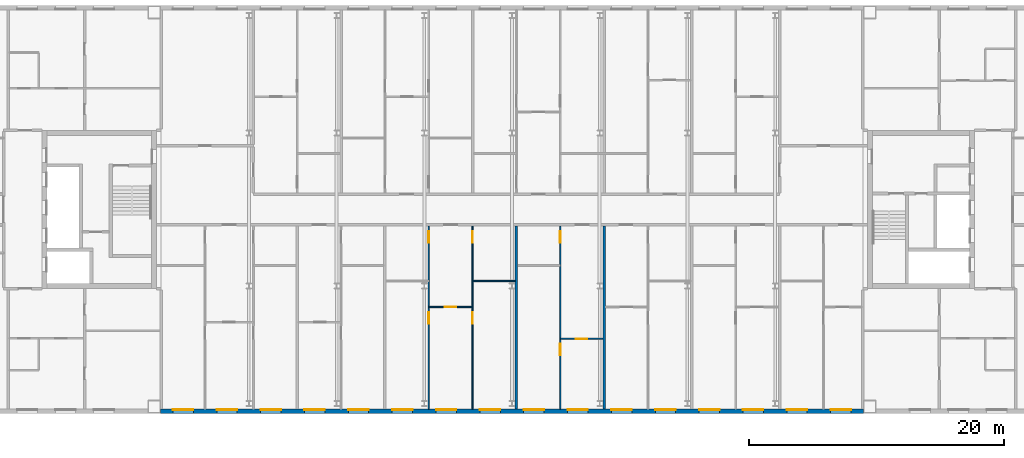
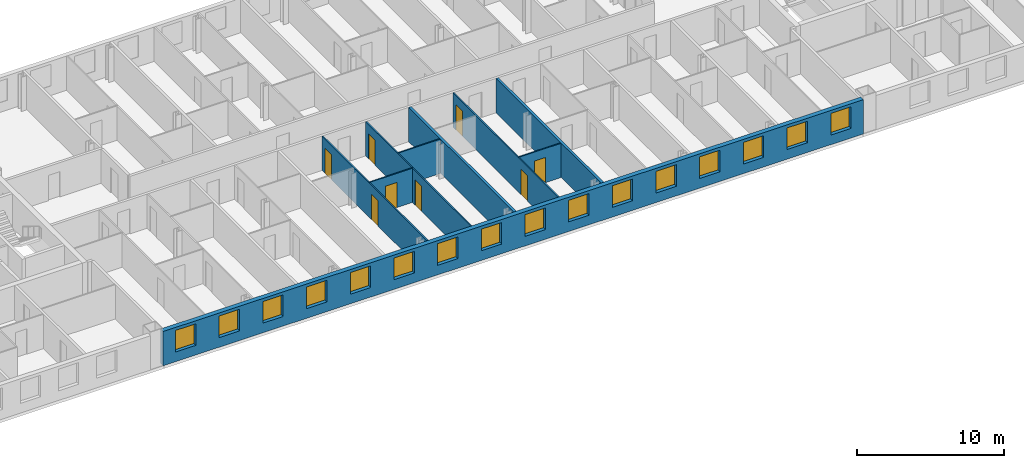
# One storey, part 10 of 19: 16 windows, 9 walls, 8 doors, 24 openings.
"""IFC4 building model written with IfcOpenShell, lengths in metres."""

import ifcopenshell
import ifcopenshell.guid

model = None  # the IFC model being written
_history = None  # IfcOwnerHistory: only IFC2X3 demands one
_inside = {}  # id of a spatial element -> (the spatial element, [elements in it])
_under = {}  # id of a project, library or spatial element -> (it, [spatial elements below it])
_declared = {}  # id of a project -> (the project, [libraries it declares])
_typed = {}  # id of a type object -> (the type object, [elements of that type])
_made_of = {}  # id of a material, layer set ... -> (it, [elements and type objects made of it])


def new_model(schema):
    """Start an empty IFC model of exactly this schema.

    Asked for "IFC4X3", IfcOpenShell would pick the latest addendum, in which some entities
    have other attributes; the version numbers below select the first issue.
    IFC2X3 requires an IfcOwnerHistory on every rooted entity: one is made here for all.
    """
    global model, _history
    if schema == "IFC4X3":
        model = ifcopenshell.file(schema_version=(4, 3, 0, 0))
    else:
        model = ifcopenshell.file(schema=schema)
    _inside.clear()
    _under.clear()
    _declared.clear()
    _typed.clear()
    _made_of.clear()
    _history = None
    if model.schema == "IFC2X3":
        org = make("IfcOrganization", Name="unknown")
        user = make(
            "IfcPersonAndOrganization",
            ThePerson=make("IfcPerson", FamilyName="unknown"),
            TheOrganization=org,
        )
        app = make(
            "IfcApplication",
            ApplicationDeveloper=org,
            Version="unknown",
            ApplicationFullName="unknown",
            ApplicationIdentifier="unknown",
        )
        _history = make(
            "IfcOwnerHistory",
            OwningUser=user,
            OwningApplication=app,
            ChangeAction="ADDED",
            CreationDate=0,
        )
    return model


def make(cls, **values):
    """One entity of the class cls with the attributes given. An attribute that is None is left unset."""
    return model.create_entity(
        cls, **{name: value for name, value in values.items() if value is not None}
    )


def rooted(cls, **values):
    """An entity with a GlobalId (a new one), such as an element, a storey or a relation."""
    return make(cls, GlobalId=ifcopenshell.guid.new(), OwnerHistory=_history, **values)


def si_unit(unit_type, name, prefix=None):
    """IfcSIUnit, for example si_unit("LENGTHUNIT", "METRE", prefix="MILLI")."""
    return make("IfcSIUnit", UnitType=unit_type, Prefix=prefix, Name=name)


def assignment(units):
    """IfcUnitAssignment: the units of a project."""
    return None if units is None else make("IfcUnitAssignment", Units=units)


def point(xyz):
    """IfcCartesianPoint."""
    return None if xyz is None else make("IfcCartesianPoint", Coordinates=xyz)


def direction(xyz):
    """IfcDirection."""
    return None if xyz is None else make("IfcDirection", DirectionRatios=xyz)


def frame(location, z_axis=None, x_axis=None):
    """IfcAxis2Placement3D, a coordinate frame: its origin and axes. An axis left out is left unset."""
    return make(
        "IfcAxis2Placement3D",
        Location=point(location),
        Axis=direction(z_axis),
        RefDirection=direction(x_axis),
    )


def frame_2d(location, x_axis=None):
    """IfcAxis2Placement2D, a coordinate frame in the plane: its origin and x axis."""
    return make(
        "IfcAxis2Placement2D", Location=point(location), RefDirection=direction(x_axis)
    )


def origin():
    """The frame at (0, 0, 0) with its axes left unset."""
    return frame((0.0, 0.0, 0.0))


def place(relative_to, where):
    """IfcLocalPlacement: puts the frame where relative to a parent placement (None: the world)."""
    return make(
        "IfcLocalPlacement", PlacementRelTo=relative_to, RelativePlacement=where
    )


def context(
    kind, dimensions, precision=None, world=None, true_north=None, identifier=None
):
    """IfcGeometricRepresentationContext, for example the 3D "Model" context."""
    return make(
        "IfcGeometricRepresentationContext",
        ContextIdentifier=identifier,
        ContextType=kind,
        CoordinateSpaceDimension=dimensions,
        Precision=precision,
        WorldCoordinateSystem=world,
        TrueNorth=true_north,
    )


def subcontext(parent, identifier, kind, view, scale=None):
    """IfcGeometricRepresentationSubContext, for example "Body" below "Model"."""
    return make(
        "IfcGeometricRepresentationSubContext",
        ContextIdentifier=identifier,
        ContextType=kind,
        ParentContext=parent,
        TargetScale=scale,
        TargetView=view,
    )


def project(units=None, contexts=None):
    """IfcProject with its units and contexts."""
    return rooted(
        "IfcProject",
        Name="project",
        RepresentationContexts=contexts,
        UnitsInContext=assignment(units),
    )


def spatial(cls, under=None, at=None, **own):
    """A site, building, storey or space (cls), placed at a placement, below another one or the project."""
    s = rooted(cls, ObjectPlacement=at, **own)
    if under is not None:
        _under.setdefault(under.id(), (under, []))[1].append(s)
    return s


def profile(cls, at=None, kind="AREA", **sizes):
    """A parametric profile (cls). Its sizes go by their IFC names, for example OverallWidth=200.0."""
    return make(cls, ProfileType=kind, Position=at, **sizes)


def rectangle(**sizes):
    """IfcRectangleProfileDef."""
    return profile("IfcRectangleProfileDef", **sizes)


def extrude(swept, where, along, depth):
    """IfcExtrudedAreaSolid: the profile swept, set in the frame where, extruded along a direction by depth."""
    return make(
        "IfcExtrudedAreaSolid",
        SweptArea=swept,
        Position=where,
        ExtrudedDirection=direction(along),
        Depth=depth,
    )


def shape(context_of_items, identifier, shape_type, items):
    """IfcShapeRepresentation: the items that make up one representation, for example the "Body"."""
    return make(
        "IfcShapeRepresentation",
        ContextOfItems=context_of_items,
        RepresentationIdentifier=identifier,
        RepresentationType=shape_type,
        Items=items,
    )


def material(Name=None, Category=None):
    """IfcMaterial."""
    return make("IfcMaterial", Name=Name, Category=Category)


def layer(
    of_material, thickness, ventilated=None, Name=None, Category=None, Priority=None
):
    """IfcMaterialLayer: one layer of a wall or slab, of a material (None: an air gap)."""
    return make(
        "IfcMaterialLayer",
        Material=of_material,
        LayerThickness=thickness,
        IsVentilated=ventilated,
        Name=Name,
        Category=Category,
        Priority=Priority,
    )


def layer_set(layers, Name=None):
    """IfcMaterialLayerSet."""
    return make("IfcMaterialLayerSet", MaterialLayers=layers, LayerSetName=Name)


def made_of(thing, what):
    """Note that an element or type object is made of a material, layer set ...; save() writes the relation."""
    if what is not None:
        _made_of.setdefault(what.id(), (what, []))[1].append(thing)
    return thing


def type_object(cls, material=None, **own):
    """A type object (cls), such as IfcWallType, which elements share."""
    return made_of(rooted(cls, **own), material)


def element(
    cls,
    number,
    at=None,
    inside=None,
    cuts=None,
    type_object=None,
    material=None,
    context=None,
    identifier="Body",
    shape_type=None,
    held_by="IfcProductDefinitionShape",
    body=None,
    shapes=None,
    **own,
):
    """One element of the class cls, such as IfcWall. Its Tag is "e" and its number.

    at: its placement. inside: the storey or other place that contains it. cuts: it is an
    opening in that element (IfcRelVoidsElement). A single representation is given by context,
    identifier, shape_type and body (its items); several are given by shapes. held_by: the class
    of the entity that holds the representations. save() writes the other relations.
    """
    e = rooted(cls, Tag="e%d" % number, ObjectPlacement=at, **own)
    if body is not None:
        shapes = [shape(context, identifier, shape_type, body)]
    if shapes is not None:
        e.Representation = make(held_by, Representations=shapes)
    if inside is not None:
        _inside.setdefault(inside.id(), (inside, []))[1].append(e)
    if cuts is not None:
        rooted(
            "IfcRelVoidsElement", RelatingBuildingElement=cuts, RelatedOpeningElement=e
        )
    if type_object is not None:
        _typed.setdefault(type_object.id(), (type_object, []))[1].append(e)
    return made_of(e, material)


def fill(opening, filler):
    """IfcRelFillsElement: the door or window that sits in an opening."""
    return rooted(
        "IfcRelFillsElement",
        RelatingOpeningElement=opening,
        RelatedBuildingElement=filler,
    )


def aggregate(whole, parts):
    """IfcRelAggregates: a whole, such as a stair, and the parts it consists of."""
    return rooted("IfcRelAggregates", RelatingObject=whole, RelatedObjects=parts)


def save(model, path):
    """Write the relations noted so far, then the file.

    IfcRelAggregates (storeys below a building ...), IfcRelContainedInSpatialStructure (elements
    in a storey), IfcRelDefinesByType, IfcRelAssociatesMaterial and IfcRelDeclares: one each for
    every whole, place, type object, material and project.
    """
    for whole, parts in _under.values():
        aggregate(whole, parts)
    for where, things in _inside.values():
        rooted(
            "IfcRelContainedInSpatialStructure",
            RelatedElements=things,
            RelatingStructure=where,
        )
    for kind, things in _typed.values():
        rooted("IfcRelDefinesByType", RelatedObjects=things, RelatingType=kind)
    for what, things in _made_of.values():
        rooted("IfcRelAssociatesMaterial", RelatedObjects=things, RelatingMaterial=what)
    for by, libraries in _declared.values():
        rooted("IfcRelDeclares", RelatingContext=by, RelatedDefinitions=libraries)
    model.write(path)


model = new_model("IFC4")

# Units and contexts
model_context = context("Model", 3, precision=1e-05, world=origin(), true_north=direction((0.0, 1.0)))
body_context = subcontext(model_context, "Body", "Model", "MODEL_VIEW")
ifc_project = project(units=[si_unit("LENGTHUNIT", "METRE"), si_unit("AREAUNIT", "SQUARE_METRE"), si_unit("VOLUMEUNIT", "CUBIC_METRE"), si_unit("PLANEANGLEUNIT", "RADIAN"), si_unit("MASSUNIT", "GRAM", prefix="KILO")], contexts=[model_context])

# Site, building, storey
site_placement = place(None, origin())
site = spatial("IfcSite", under=ifc_project, at=site_placement, CompositionType="ELEMENT")
building_placement = place(site_placement, origin())
building = spatial("IfcBuilding", under=site, at=building_placement, Name="Tuart Gate Housing", CompositionType="ELEMENT")
storey_placement = place(building_placement, frame((0.0, 0.0, 230.699951171875)))
storey = spatial("IfcBuildingStorey", under=building, at=storey_placement, Name="L65", CompositionType="ELEMENT", Elevation=230.699951171875)

# Wall, openings, windows
ifc_material_1 = material(Name="Brick", Category="masonry")
ifc_layer_1 = layer(ifc_material_1, 0.360107421875)
ifc_layer_set_1 = layer_set([ifc_layer_1], Name="Brick pier and spandrel wall 360")
wall_type_1 = type_object("IfcWallType", Name="Brick pier and spandrel wall 360", PredefinedType="STANDARD", material=ifc_layer_set_1)
wall_1_placement = place(storey_placement, frame((75.949951171875, 54.179931640625, 0.0), z_axis=(0.0, 0.0, 1.0), x_axis=(1.0, 0.0, 0.0)))
wall_1 = element("IfcWall", 1, at=wall_1_placement, inside=storey, type_object=wall_type_1, Name="External wall BLK-S L65", PredefinedType="STANDARD", context=body_context, shape_type="SweptSolid", body=[
    extrude(rectangle(XDim=55.10009765625, YDim=0.360107421875, at=frame_2d((27.550048828125, 0.0))), origin(), (0.0, 0.0, 1.0), 2.85009765625),
])
opening_1_placement = place(wall_1_placement, frame((0.96875, 0.0, 0.800048828125)))
opening_1 = element("IfcOpeningElement", 2, at=opening_1_placement, cuts=wall_1, Name="Opening W1", PredefinedType="OPENING", context=body_context, shape_type="SweptSolid", body=[
    extrude(rectangle(XDim=1.60009765625, YDim=1.800048828125, at=frame_2d((0.800048828125, 0.89990234375))), frame((0.0, 0.18994140625, 0.0), z_axis=(0.0, -1.0, 0.0), x_axis=(1.0, 0.0, 0.0)), (0.0, 0.0, 1.0), 0.380126953125),
])
opening_2_placement = place(wall_1_placement, frame((4.40625, 0.0, 0.800048828125)))
opening_2 = element("IfcOpeningElement", 3, at=opening_2_placement, cuts=wall_1, Name="Opening W1", PredefinedType="OPENING", context=body_context, shape_type="SweptSolid", body=[
    extrude(rectangle(XDim=1.60009765625, YDim=1.800048828125, at=frame_2d((0.800048828125, 0.89990234375))), frame((0.0, 0.18994140625, 0.0), z_axis=(0.0, -1.0, 0.0), x_axis=(1.0, 0.0, 0.0)), (0.0, 0.0, 1.0), 0.380126953125),
])
opening_3_placement = place(wall_1_placement, frame((7.84375, 0.0, 0.800048828125)))
opening_3 = element("IfcOpeningElement", 4, at=opening_3_placement, cuts=wall_1, Name="Opening W1", PredefinedType="OPENING", context=body_context, shape_type="SweptSolid", body=[
    extrude(rectangle(XDim=1.60009765625, YDim=1.800048828125, at=frame_2d((0.800048828125, 0.89990234375))), frame((0.0, 0.18994140625, 0.0), z_axis=(0.0, -1.0, 0.0), x_axis=(1.0, 0.0, 0.0)), (0.0, 0.0, 1.0), 0.380126953125),
])
opening_4_placement = place(wall_1_placement, frame((11.28125, 0.0, 0.800048828125)))
opening_4 = element("IfcOpeningElement", 5, at=opening_4_placement, cuts=wall_1, Name="Opening W1", PredefinedType="OPENING", context=body_context, shape_type="SweptSolid", body=[
    extrude(rectangle(XDim=1.60009765625, YDim=1.800048828125, at=frame_2d((0.800048828125, 0.89990234375))), frame((0.0, 0.18994140625, 0.0), z_axis=(0.0, -1.0, 0.0), x_axis=(1.0, 0.0, 0.0)), (0.0, 0.0, 1.0), 0.380126953125),
])
opening_5_placement = place(wall_1_placement, frame((14.71875, 0.0, 0.800048828125)))
opening_5 = element("IfcOpeningElement", 6, at=opening_5_placement, cuts=wall_1, Name="Opening W1", PredefinedType="OPENING", context=body_context, shape_type="SweptSolid", body=[
    extrude(rectangle(XDim=1.60009765625, YDim=1.800048828125, at=frame_2d((0.800048828125, 0.89990234375))), frame((0.0, 0.18994140625, 0.0), z_axis=(0.0, -1.0, 0.0), x_axis=(1.0, 0.0, 0.0)), (0.0, 0.0, 1.0), 0.380126953125),
])
opening_6_placement = place(wall_1_placement, frame((18.15625, 0.0, 0.800048828125)))
opening_6 = element("IfcOpeningElement", 7, at=opening_6_placement, cuts=wall_1, Name="Opening W1", PredefinedType="OPENING", context=body_context, shape_type="SweptSolid", body=[
    extrude(rectangle(XDim=1.60009765625, YDim=1.800048828125, at=frame_2d((0.800048828125, 0.89990234375))), frame((0.0, 0.18994140625, 0.0), z_axis=(0.0, -1.0, 0.0), x_axis=(1.0, 0.0, 0.0)), (0.0, 0.0, 1.0), 0.380126953125),
])
opening_7_placement = place(wall_1_placement, frame((21.59375, 0.0, 0.800048828125)))
opening_7 = element("IfcOpeningElement", 8, at=opening_7_placement, cuts=wall_1, Name="Opening W1", PredefinedType="OPENING", context=body_context, shape_type="SweptSolid", body=[
    extrude(rectangle(XDim=1.60009765625, YDim=1.800048828125, at=frame_2d((0.800048828125, 0.89990234375))), frame((0.0, 0.18994140625, 0.0), z_axis=(0.0, -1.0, 0.0), x_axis=(1.0, 0.0, 0.0)), (0.0, 0.0, 1.0), 0.380126953125),
])
opening_8_placement = place(wall_1_placement, frame((25.03125, 0.0, 0.800048828125)))
opening_8 = element("IfcOpeningElement", 9, at=opening_8_placement, cuts=wall_1, Name="Opening W1", PredefinedType="OPENING", context=body_context, shape_type="SweptSolid", body=[
    extrude(rectangle(XDim=1.60009765625, YDim=1.800048828125, at=frame_2d((0.800048828125, 0.89990234375))), frame((0.0, 0.18994140625, 0.0), z_axis=(0.0, -1.0, 0.0), x_axis=(1.0, 0.0, 0.0)), (0.0, 0.0, 1.0), 0.380126953125),
])
opening_9_placement = place(wall_1_placement, frame((28.46875, 0.0, 0.800048828125)))
opening_9 = element("IfcOpeningElement", 10, at=opening_9_placement, cuts=wall_1, Name="Opening W1", PredefinedType="OPENING", context=body_context, shape_type="SweptSolid", body=[
    extrude(rectangle(XDim=1.60009765625, YDim=1.800048828125, at=frame_2d((0.800048828125, 0.89990234375))), frame((0.0, 0.18994140625, 0.0), z_axis=(0.0, -1.0, 0.0), x_axis=(1.0, 0.0, 0.0)), (0.0, 0.0, 1.0), 0.380126953125),
])
opening_10_placement = place(wall_1_placement, frame((31.90625, 0.0, 0.800048828125)))
opening_10 = element("IfcOpeningElement", 11, at=opening_10_placement, cuts=wall_1, Name="Opening W1", PredefinedType="OPENING", context=body_context, shape_type="SweptSolid", body=[
    extrude(rectangle(XDim=1.60009765625, YDim=1.800048828125, at=frame_2d((0.800048828125, 0.89990234375))), frame((0.0, 0.18994140625, 0.0), z_axis=(0.0, -1.0, 0.0), x_axis=(1.0, 0.0, 0.0)), (0.0, 0.0, 1.0), 0.380126953125),
])
opening_11_placement = place(wall_1_placement, frame((35.34375, 0.0, 0.800048828125)))
opening_11 = element("IfcOpeningElement", 12, at=opening_11_placement, cuts=wall_1, Name="Opening W1", PredefinedType="OPENING", context=body_context, shape_type="SweptSolid", body=[
    extrude(rectangle(XDim=1.60009765625, YDim=1.800048828125, at=frame_2d((0.800048828125, 0.89990234375))), frame((0.0, 0.18994140625, 0.0), z_axis=(0.0, -1.0, 0.0), x_axis=(1.0, 0.0, 0.0)), (0.0, 0.0, 1.0), 0.380126953125),
])
opening_12_placement = place(wall_1_placement, frame((38.78125, 0.0, 0.800048828125)))
opening_12 = element("IfcOpeningElement", 13, at=opening_12_placement, cuts=wall_1, Name="Opening W1", PredefinedType="OPENING", context=body_context, shape_type="SweptSolid", body=[
    extrude(rectangle(XDim=1.60009765625, YDim=1.800048828125, at=frame_2d((0.800048828125, 0.89990234375))), frame((0.0, 0.18994140625, 0.0), z_axis=(0.0, -1.0, 0.0), x_axis=(1.0, 0.0, 0.0)), (0.0, 0.0, 1.0), 0.380126953125),
])
opening_13_placement = place(wall_1_placement, frame((42.21875, 0.0, 0.800048828125)))
opening_13 = element("IfcOpeningElement", 14, at=opening_13_placement, cuts=wall_1, Name="Opening W1", PredefinedType="OPENING", context=body_context, shape_type="SweptSolid", body=[
    extrude(rectangle(XDim=1.60009765625, YDim=1.800048828125, at=frame_2d((0.800048828125, 0.89990234375))), frame((0.0, 0.18994140625, 0.0), z_axis=(0.0, -1.0, 0.0), x_axis=(1.0, 0.0, 0.0)), (0.0, 0.0, 1.0), 0.380126953125),
])
opening_14_placement = place(wall_1_placement, frame((45.65625, 0.0, 0.800048828125)))
opening_14 = element("IfcOpeningElement", 15, at=opening_14_placement, cuts=wall_1, Name="Opening W1", PredefinedType="OPENING", context=body_context, shape_type="SweptSolid", body=[
    extrude(rectangle(XDim=1.60009765625, YDim=1.800048828125, at=frame_2d((0.800048828125, 0.89990234375))), frame((0.0, 0.18994140625, 0.0), z_axis=(0.0, -1.0, 0.0), x_axis=(1.0, 0.0, 0.0)), (0.0, 0.0, 1.0), 0.380126953125),
])
opening_15_placement = place(wall_1_placement, frame((49.09375, 0.0, 0.800048828125)))
opening_15 = element("IfcOpeningElement", 16, at=opening_15_placement, cuts=wall_1, Name="Opening W1", PredefinedType="OPENING", context=body_context, shape_type="SweptSolid", body=[
    extrude(rectangle(XDim=1.60009765625, YDim=1.800048828125, at=frame_2d((0.800048828125, 0.89990234375))), frame((0.0, 0.18994140625, 0.0), z_axis=(0.0, -1.0, 0.0), x_axis=(1.0, 0.0, 0.0)), (0.0, 0.0, 1.0), 0.380126953125),
])
opening_16_placement = place(wall_1_placement, frame((52.53125, 0.0, 0.800048828125)))
opening_16 = element("IfcOpeningElement", 17, at=opening_16_placement, cuts=wall_1, Name="Opening W1", PredefinedType="OPENING", context=body_context, shape_type="SweptSolid", body=[
    extrude(rectangle(XDim=1.60009765625, YDim=1.800048828125, at=frame_2d((0.800048828125, 0.89990234375))), frame((0.0, 0.18994140625, 0.0), z_axis=(0.0, -1.0, 0.0), x_axis=(1.0, 0.0, 0.0)), (0.0, 0.0, 1.0), 0.380126953125),
])
ifc_material_2 = material(Name="Aluminium frame with clear glass", Category="aluminium")
window_type = type_object("IfcWindowType", Name="Punched window 1600 x 1800", PartitioningType="SINGLE_PANEL", PredefinedType="WINDOW", material=ifc_material_2)
window_1_placement = place(opening_1_placement, origin())
window_1 = element("IfcWindow", 18, at=window_1_placement, inside=storey, type_object=window_type, Name="Window W1", OverallHeight=1.800048828125, OverallWidth=1.60009765625, PartitioningType="SINGLE_PANEL", PredefinedType="WINDOW", context=body_context, shape_type="SweptSolid", body=[
    extrude(rectangle(XDim=1.60009765625, YDim=1.800048828125, at=frame_2d((0.800048828125, 0.89990234375))), frame((0.0, 0.150146484375, 0.0), z_axis=(0.0, -1.0, 0.0), x_axis=(1.0, 0.0, 0.0)), (0.0, 0.0, 1.0), 0.06005859375),
])
fill(opening_1, window_1)
window_2_placement = place(opening_2_placement, origin())
window_2 = element("IfcWindow", 19, at=window_2_placement, inside=storey, type_object=window_type, Name="Window W1", OverallHeight=1.800048828125, OverallWidth=1.60009765625, PartitioningType="SINGLE_PANEL", PredefinedType="WINDOW", context=body_context, shape_type="SweptSolid", body=[
    extrude(rectangle(XDim=1.60009765625, YDim=1.800048828125, at=frame_2d((0.800048828125, 0.89990234375))), frame((0.0, 0.150146484375, 0.0), z_axis=(0.0, -1.0, 0.0), x_axis=(1.0, 0.0, 0.0)), (0.0, 0.0, 1.0), 0.06005859375),
])
fill(opening_2, window_2)
window_3_placement = place(opening_3_placement, origin())
window_3 = element("IfcWindow", 20, at=window_3_placement, inside=storey, type_object=window_type, Name="Window W1", OverallHeight=1.800048828125, OverallWidth=1.60009765625, PartitioningType="SINGLE_PANEL", PredefinedType="WINDOW", context=body_context, shape_type="SweptSolid", body=[
    extrude(rectangle(XDim=1.60009765625, YDim=1.800048828125, at=frame_2d((0.800048828125, 0.89990234375))), frame((0.0, 0.150146484375, 0.0), z_axis=(0.0, -1.0, 0.0), x_axis=(1.0, 0.0, 0.0)), (0.0, 0.0, 1.0), 0.06005859375),
])
fill(opening_3, window_3)
window_4_placement = place(opening_4_placement, origin())
window_4 = element("IfcWindow", 21, at=window_4_placement, inside=storey, type_object=window_type, Name="Window W1", OverallHeight=1.800048828125, OverallWidth=1.60009765625, PartitioningType="SINGLE_PANEL", PredefinedType="WINDOW", context=body_context, shape_type="SweptSolid", body=[
    extrude(rectangle(XDim=1.60009765625, YDim=1.800048828125, at=frame_2d((0.800048828125, 0.89990234375))), frame((0.0, 0.150146484375, 0.0), z_axis=(0.0, -1.0, 0.0), x_axis=(1.0, 0.0, 0.0)), (0.0, 0.0, 1.0), 0.06005859375),
])
fill(opening_4, window_4)
window_5_placement = place(opening_5_placement, origin())
window_5 = element("IfcWindow", 22, at=window_5_placement, inside=storey, type_object=window_type, Name="Window W1", OverallHeight=1.800048828125, OverallWidth=1.60009765625, PartitioningType="SINGLE_PANEL", PredefinedType="WINDOW", context=body_context, shape_type="SweptSolid", body=[
    extrude(rectangle(XDim=1.60009765625, YDim=1.800048828125, at=frame_2d((0.800048828125, 0.89990234375))), frame((0.0, 0.150146484375, 0.0), z_axis=(0.0, -1.0, 0.0), x_axis=(1.0, 0.0, 0.0)), (0.0, 0.0, 1.0), 0.06005859375),
])
fill(opening_5, window_5)
window_6_placement = place(opening_6_placement, origin())
window_6 = element("IfcWindow", 23, at=window_6_placement, inside=storey, type_object=window_type, Name="Window W1", OverallHeight=1.800048828125, OverallWidth=1.60009765625, PartitioningType="SINGLE_PANEL", PredefinedType="WINDOW", context=body_context, shape_type="SweptSolid", body=[
    extrude(rectangle(XDim=1.60009765625, YDim=1.800048828125, at=frame_2d((0.800048828125, 0.89990234375))), frame((0.0, 0.150146484375, 0.0), z_axis=(0.0, -1.0, 0.0), x_axis=(1.0, 0.0, 0.0)), (0.0, 0.0, 1.0), 0.06005859375),
])
fill(opening_6, window_6)
window_7_placement = place(opening_7_placement, origin())
window_7 = element("IfcWindow", 24, at=window_7_placement, inside=storey, type_object=window_type, Name="Window W1", OverallHeight=1.800048828125, OverallWidth=1.60009765625, PartitioningType="SINGLE_PANEL", PredefinedType="WINDOW", context=body_context, shape_type="SweptSolid", body=[
    extrude(rectangle(XDim=1.60009765625, YDim=1.800048828125, at=frame_2d((0.800048828125, 0.89990234375))), frame((0.0, 0.150146484375, 0.0), z_axis=(0.0, -1.0, 0.0), x_axis=(1.0, 0.0, 0.0)), (0.0, 0.0, 1.0), 0.06005859375),
])
fill(opening_7, window_7)
window_8_placement = place(opening_8_placement, origin())
window_8 = element("IfcWindow", 25, at=window_8_placement, inside=storey, type_object=window_type, Name="Window W1", OverallHeight=1.800048828125, OverallWidth=1.60009765625, PartitioningType="SINGLE_PANEL", PredefinedType="WINDOW", context=body_context, shape_type="SweptSolid", body=[
    extrude(rectangle(XDim=1.60009765625, YDim=1.800048828125, at=frame_2d((0.800048828125, 0.89990234375))), frame((0.0, 0.150146484375, 0.0), z_axis=(0.0, -1.0, 0.0), x_axis=(1.0, 0.0, 0.0)), (0.0, 0.0, 1.0), 0.06005859375),
])
fill(opening_8, window_8)
window_9_placement = place(opening_9_placement, origin())
window_9 = element("IfcWindow", 26, at=window_9_placement, inside=storey, type_object=window_type, Name="Window W1", OverallHeight=1.800048828125, OverallWidth=1.60009765625, PartitioningType="SINGLE_PANEL", PredefinedType="WINDOW", context=body_context, shape_type="SweptSolid", body=[
    extrude(rectangle(XDim=1.60009765625, YDim=1.800048828125, at=frame_2d((0.800048828125, 0.89990234375))), frame((0.0, 0.150146484375, 0.0), z_axis=(0.0, -1.0, 0.0), x_axis=(1.0, 0.0, 0.0)), (0.0, 0.0, 1.0), 0.06005859375),
])
fill(opening_9, window_9)
window_10_placement = place(opening_10_placement, origin())
window_10 = element("IfcWindow", 27, at=window_10_placement, inside=storey, type_object=window_type, Name="Window W1", OverallHeight=1.800048828125, OverallWidth=1.60009765625, PartitioningType="SINGLE_PANEL", PredefinedType="WINDOW", context=body_context, shape_type="SweptSolid", body=[
    extrude(rectangle(XDim=1.60009765625, YDim=1.800048828125, at=frame_2d((0.800048828125, 0.89990234375))), frame((0.0, 0.150146484375, 0.0), z_axis=(0.0, -1.0, 0.0), x_axis=(1.0, 0.0, 0.0)), (0.0, 0.0, 1.0), 0.06005859375),
])
fill(opening_10, window_10)
window_11_placement = place(opening_11_placement, origin())
window_11 = element("IfcWindow", 28, at=window_11_placement, inside=storey, type_object=window_type, Name="Window W1", OverallHeight=1.800048828125, OverallWidth=1.60009765625, PartitioningType="SINGLE_PANEL", PredefinedType="WINDOW", context=body_context, shape_type="SweptSolid", body=[
    extrude(rectangle(XDim=1.60009765625, YDim=1.800048828125, at=frame_2d((0.800048828125, 0.89990234375))), frame((0.0, 0.150146484375, 0.0), z_axis=(0.0, -1.0, 0.0), x_axis=(1.0, 0.0, 0.0)), (0.0, 0.0, 1.0), 0.06005859375),
])
fill(opening_11, window_11)
window_12_placement = place(opening_12_placement, origin())
window_12 = element("IfcWindow", 29, at=window_12_placement, inside=storey, type_object=window_type, Name="Window W1", OverallHeight=1.800048828125, OverallWidth=1.60009765625, PartitioningType="SINGLE_PANEL", PredefinedType="WINDOW", context=body_context, shape_type="SweptSolid", body=[
    extrude(rectangle(XDim=1.60009765625, YDim=1.800048828125, at=frame_2d((0.800048828125, 0.89990234375))), frame((0.0, 0.150146484375, 0.0), z_axis=(0.0, -1.0, 0.0), x_axis=(1.0, 0.0, 0.0)), (0.0, 0.0, 1.0), 0.06005859375),
])
fill(opening_12, window_12)
window_13_placement = place(opening_13_placement, origin())
window_13 = element("IfcWindow", 30, at=window_13_placement, inside=storey, type_object=window_type, Name="Window W1", OverallHeight=1.800048828125, OverallWidth=1.60009765625, PartitioningType="SINGLE_PANEL", PredefinedType="WINDOW", context=body_context, shape_type="SweptSolid", body=[
    extrude(rectangle(XDim=1.60009765625, YDim=1.800048828125, at=frame_2d((0.800048828125, 0.89990234375))), frame((0.0, 0.150146484375, 0.0), z_axis=(0.0, -1.0, 0.0), x_axis=(1.0, 0.0, 0.0)), (0.0, 0.0, 1.0), 0.06005859375),
])
fill(opening_13, window_13)
window_14_placement = place(opening_14_placement, origin())
window_14 = element("IfcWindow", 31, at=window_14_placement, inside=storey, type_object=window_type, Name="Window W1", OverallHeight=1.800048828125, OverallWidth=1.60009765625, PartitioningType="SINGLE_PANEL", PredefinedType="WINDOW", context=body_context, shape_type="SweptSolid", body=[
    extrude(rectangle(XDim=1.60009765625, YDim=1.800048828125, at=frame_2d((0.800048828125, 0.89990234375))), frame((0.0, 0.150146484375, 0.0), z_axis=(0.0, -1.0, 0.0), x_axis=(1.0, 0.0, 0.0)), (0.0, 0.0, 1.0), 0.06005859375),
])
fill(opening_14, window_14)
window_15_placement = place(opening_15_placement, origin())
window_15 = element("IfcWindow", 32, at=window_15_placement, inside=storey, type_object=window_type, Name="Window W1", OverallHeight=1.800048828125, OverallWidth=1.60009765625, PartitioningType="SINGLE_PANEL", PredefinedType="WINDOW", context=body_context, shape_type="SweptSolid", body=[
    extrude(rectangle(XDim=1.60009765625, YDim=1.800048828125, at=frame_2d((0.800048828125, 0.89990234375))), frame((0.0, 0.150146484375, 0.0), z_axis=(0.0, -1.0, 0.0), x_axis=(1.0, 0.0, 0.0)), (0.0, 0.0, 1.0), 0.06005859375),
])
fill(opening_15, window_15)
window_16_placement = place(opening_16_placement, origin())
window_16 = element("IfcWindow", 33, at=window_16_placement, inside=storey, type_object=window_type, Name="Window W1", OverallHeight=1.800048828125, OverallWidth=1.60009765625, PartitioningType="SINGLE_PANEL", PredefinedType="WINDOW", context=body_context, shape_type="SweptSolid", body=[
    extrude(rectangle(XDim=1.60009765625, YDim=1.800048828125, at=frame_2d((0.800048828125, 0.89990234375))), frame((0.0, 0.150146484375, 0.0), z_axis=(0.0, -1.0, 0.0), x_axis=(1.0, 0.0, 0.0)), (0.0, 0.0, 1.0), 0.06005859375),
])
fill(opening_16, window_16)

# Wall, opening, door
ifc_material_3 = material(Name="Gypsum board on steel studs", Category="steel")
ifc_layer_2 = layer(ifc_material_3, 0.10009765625)
ifc_layer_set_2 = layer_set([ifc_layer_2], Name="Partition 100")
wall_type_2 = type_object("IfcWallType", Name="Partition 100", PredefinedType="PARTITIONING", material=ifc_layer_set_2)
wall_2_placement = place(storey_placement, frame((107.287109375, 59.860107421875, 0.0), z_axis=(0.0, 0.0, 1.0), x_axis=(1.0, 0.0, 0.0)))
wall_2 = element("IfcWall", 34, at=wall_2_placement, inside=storey, type_object=wall_type_2, Name="Partition 100", PredefinedType="PARTITIONING", context=body_context, shape_type="SweptSolid", body=[
    extrude(rectangle(XDim=3.337890625, YDim=0.10009765625, at=frame_2d((1.6689453125, 0.0))), origin(), (0.0, 0.0, 1.0), 2.85009765625),
])
opening_17_placement = place(wall_2_placement, frame((1.218994140625, 0.0, 0.0)))
opening_17 = element("IfcOpeningElement", 35, at=opening_17_placement, cuts=wall_2, Name="Opening D2556", PredefinedType="OPENING", context=body_context, shape_type="SweptSolid", body=[
    extrude(rectangle(XDim=0.89990234375, YDim=2.10009765625, at=frame_2d((0.449951171875, 1.050048828125))), frame((0.0, 0.06005859375, 0.0), z_axis=(0.0, -1.0, 0.0), x_axis=(1.0, 0.0, 0.0)), (0.0, 0.0, 1.0), 0.1201171875),
])
ifc_material_4 = material(Name="Timber door leaf in steel frame", Category="steel")
door_type_1 = type_object("IfcDoorType", Name="Internal door 900", OperationType="SINGLE_SWING_LEFT", PredefinedType="DOOR", material=ifc_material_4)
door_1_placement = place(opening_17_placement, origin())
door_1 = element("IfcDoor", 36, at=door_1_placement, inside=storey, type_object=door_type_1, Name="Internal door", OperationType="SINGLE_SWING_LEFT", OverallHeight=2.10009765625, OverallWidth=0.89990234375, PredefinedType="DOOR", context=body_context, shape_type="SweptSolid", body=[
    extrude(rectangle(XDim=0.89990234375, YDim=2.10009765625, at=frame_2d((0.449951171875, 1.050048828125))), frame((0.0, 0.02490234375, 0.0), z_axis=(0.0, -1.0, 0.0), x_axis=(1.0, 0.0, 0.0)), (0.0, 0.0, 1.0), 0.050048828125),
])
fill(opening_17, door_1)

wall_3_placement = place(storey_placement, frame((96.97509765625, 62.360107421875, 0.0), z_axis=(0.0, 0.0, 1.0), x_axis=(1.0, 0.0, 0.0)))
wall_3 = element("IfcWall", 37, at=wall_3_placement, inside=storey, type_object=wall_type_2, Name="Partition 100", PredefinedType="PARTITIONING", context=body_context, shape_type="SweptSolid", body=[
    extrude(rectangle(XDim=3.43701171875, YDim=0.10009765625, at=frame_2d((1.718505859375, 0.0))), origin(), (0.0, 0.0, 1.0), 2.85009765625),
])
opening_18_placement = place(wall_3_placement, frame((1.2685546875, 0.0, 0.0)))
opening_18 = element("IfcOpeningElement", 38, at=opening_18_placement, cuts=wall_3, Name="Opening D2532", PredefinedType="OPENING", context=body_context, shape_type="SweptSolid", body=[
    extrude(rectangle(XDim=0.89990234375, YDim=2.10009765625, at=frame_2d((0.449951171875, 1.050048828125))), frame((0.0, 0.06005859375, 0.0), z_axis=(0.0, -1.0, 0.0), x_axis=(1.0, 0.0, 0.0)), (0.0, 0.0, 1.0), 0.1201171875),
])
door_2_placement = place(opening_18_placement, origin())
door_2 = element("IfcDoor", 39, at=door_2_placement, inside=storey, type_object=door_type_1, Name="Internal door", OperationType="SINGLE_SWING_LEFT", OverallHeight=2.10009765625, OverallWidth=0.89990234375, PredefinedType="DOOR", context=body_context, shape_type="SweptSolid", body=[
    extrude(rectangle(XDim=0.89990234375, YDim=2.10009765625, at=frame_2d((0.449951171875, 1.050048828125))), frame((0.0, 0.02490234375, 0.0), z_axis=(0.0, -1.0, 0.0), x_axis=(1.0, 0.0, 0.0)), (0.0, 0.0, 1.0), 0.050048828125),
])
fill(opening_18, door_2)

# Wall
wall_4_placement = place(storey_placement, frame((100.412109375, 64.39990234375, 0.0), z_axis=(0.0, 0.0, 1.0), x_axis=(1.0, 0.0, 0.0)))
element("IfcWall", 40, at=wall_4_placement, inside=storey, type_object=wall_type_2, Name="Partition 100", PredefinedType="PARTITIONING", context=body_context, shape_type="SweptSolid", body=[
    extrude(rectangle(XDim=3.337890625, YDim=0.10009765625, at=frame_2d((1.6689453125, 0.0))), origin(), (0.0, 0.0, 1.0), 2.85009765625),
])

# Wall, openings, doors
wall_5_placement = place(storey_placement, frame((96.97509765625, 54.360107421875, 0.0), z_axis=(0.0, 0.0, 1.0), x_axis=(0.0, 1.0, 0.0)))
wall_5 = element("IfcWall", 41, at=wall_5_placement, inside=storey, type_object=wall_type_2, Name="Partition 100", PredefinedType="PARTITIONING", context=body_context, shape_type="SweptSolid", body=[
    extrude(rectangle(XDim=14.33984375, YDim=0.10009765625, at=frame_2d((7.169921875, 0.0))), origin(), (0.0, 0.0, 1.0), 2.85009765625),
])
opening_19_placement = place(wall_5_placement, frame((6.699951171875, 0.0, 0.0)))
opening_19 = element("IfcOpeningElement", 42, at=opening_19_placement, cuts=wall_5, Name="Opening D2543", PredefinedType="OPENING", context=body_context, shape_type="SweptSolid", body=[
    extrude(rectangle(XDim=0.89990234375, YDim=2.10009765625, at=frame_2d((0.449951171875, 1.050048828125))), frame((0.0, 0.06005859375, 0.0), z_axis=(0.0, -1.0, 0.0), x_axis=(1.0, 0.0, 0.0)), (0.0, 0.0, 1.0), 0.1201171875),
])
opening_20_placement = place(wall_5_placement, frame((13.0400390625, 0.0, 0.0)))
opening_20 = element("IfcOpeningElement", 43, at=opening_20_placement, cuts=wall_5, Name="Opening D2542", PredefinedType="OPENING", context=body_context, shape_type="SweptSolid", body=[
    extrude(rectangle(XDim=0.89990234375, YDim=2.10009765625, at=frame_2d((0.449951171875, 1.050048828125))), frame((0.0, 0.06005859375, 0.0), z_axis=(0.0, -1.0, 0.0), x_axis=(1.0, 0.0, 0.0)), (0.0, 0.0, 1.0), 0.1201171875),
])
ifc_material_5 = material(Name="Timber door leaf in steel frame", Category="steel")
door_type_2 = type_object("IfcDoorType", Name="Bathroom door 900 RH", OperationType="SINGLE_SWING_RIGHT", PredefinedType="DOOR", material=ifc_material_5)
door_3_placement = place(opening_20_placement, origin())
door_3 = element("IfcDoor", 44, at=door_3_placement, inside=storey, type_object=door_type_2, Name="Bathroom door", OperationType="SINGLE_SWING_RIGHT", OverallHeight=2.10009765625, OverallWidth=0.89990234375, PredefinedType="DOOR", context=body_context, shape_type="SweptSolid", body=[
    extrude(rectangle(XDim=0.89990234375, YDim=2.10009765625, at=frame_2d((0.449951171875, 1.050048828125))), frame((0.0, 0.02490234375, 0.0), z_axis=(0.0, -1.0, 0.0), x_axis=(1.0, 0.0, 0.0)), (0.0, 0.0, 1.0), 0.050048828125),
])
fill(opening_20, door_3)
ifc_material_6 = material(Name="Timber door leaf in steel frame", Category="steel")
door_type_3 = type_object("IfcDoorType", Name="Internal door 900 RH", OperationType="SINGLE_SWING_RIGHT", PredefinedType="DOOR", material=ifc_material_6)
door_4_placement = place(opening_19_placement, origin())
door_4 = element("IfcDoor", 45, at=door_4_placement, inside=storey, type_object=door_type_3, Name="Internal door", OperationType="SINGLE_SWING_RIGHT", OverallHeight=2.10009765625, OverallWidth=0.89990234375, PredefinedType="DOOR", context=body_context, shape_type="SweptSolid", body=[
    extrude(rectangle(XDim=0.89990234375, YDim=2.10009765625, at=frame_2d((0.449951171875, 1.050048828125))), frame((0.0, 0.02490234375, 0.0), z_axis=(0.0, -1.0, 0.0), x_axis=(1.0, 0.0, 0.0)), (0.0, 0.0, 1.0), 0.050048828125),
])
fill(opening_19, door_4)

wall_6_placement = place(storey_placement, frame((100.412109375, 54.360107421875, 0.0), z_axis=(0.0, 0.0, 1.0), x_axis=(0.0, 1.0, 0.0)))
wall_6 = element("IfcWall", 46, at=wall_6_placement, inside=storey, type_object=wall_type_2, Name="Partition 100", PredefinedType="PARTITIONING", context=body_context, shape_type="SweptSolid", body=[
    extrude(rectangle(XDim=14.33984375, YDim=0.10009765625, at=frame_2d((7.169921875, 0.0))), origin(), (0.0, 0.0, 1.0), 2.85009765625),
])
opening_21_placement = place(wall_6_placement, frame((6.699951171875, 0.0, 0.0)))
opening_21 = element("IfcOpeningElement", 47, at=opening_21_placement, cuts=wall_6, Name="Opening D2545", PredefinedType="OPENING", context=body_context, shape_type="SweptSolid", body=[
    extrude(rectangle(XDim=0.89990234375, YDim=2.10009765625, at=frame_2d((0.449951171875, 1.050048828125))), frame((0.0, 0.06005859375, 0.0), z_axis=(0.0, -1.0, 0.0), x_axis=(1.0, 0.0, 0.0)), (0.0, 0.0, 1.0), 0.1201171875),
])
opening_22_placement = place(wall_6_placement, frame((13.0400390625, 0.0, 0.0)))
opening_22 = element("IfcOpeningElement", 48, at=opening_22_placement, cuts=wall_6, Name="Opening D2544", PredefinedType="OPENING", context=body_context, shape_type="SweptSolid", body=[
    extrude(rectangle(XDim=0.89990234375, YDim=2.10009765625, at=frame_2d((0.449951171875, 1.050048828125))), frame((0.0, 0.06005859375, 0.0), z_axis=(0.0, -1.0, 0.0), x_axis=(1.0, 0.0, 0.0)), (0.0, 0.0, 1.0), 0.1201171875),
])
ifc_material_7 = material(Name="Timber door leaf in steel frame", Category="steel")
door_type_4 = type_object("IfcDoorType", Name="Bathroom door 900", OperationType="SINGLE_SWING_LEFT", PredefinedType="DOOR", material=ifc_material_7)
door_5_placement = place(opening_22_placement, frame((0.89990234375, 0.0, 0.0), z_axis=(0.0, 0.0, 1.0), x_axis=(-1.0, 0.0, 0.0)))
door_5 = element("IfcDoor", 49, at=door_5_placement, inside=storey, type_object=door_type_4, Name="Bathroom door", OperationType="SINGLE_SWING_LEFT", OverallHeight=2.10009765625, OverallWidth=0.89990234375, PredefinedType="DOOR", context=body_context, shape_type="SweptSolid", body=[
    extrude(rectangle(XDim=0.89990234375, YDim=2.10009765625, at=frame_2d((0.449951171875, 1.050048828125))), frame((0.0, 0.025146484375, 0.0), z_axis=(0.0, -1.0, 0.0), x_axis=(1.0, 0.0, 0.0)), (0.0, 0.0, 1.0), 0.050048828125),
])
fill(opening_22, door_5)
door_6_placement = place(opening_21_placement, frame((0.89990234375, 0.0, 0.0), z_axis=(0.0, 0.0, 1.0), x_axis=(-1.0, 0.0, 0.0)))
door_6 = element("IfcDoor", 50, at=door_6_placement, inside=storey, type_object=door_type_1, Name="Internal door", OperationType="SINGLE_SWING_LEFT", OverallHeight=2.10009765625, OverallWidth=0.89990234375, PredefinedType="DOOR", context=body_context, shape_type="SweptSolid", body=[
    extrude(rectangle(XDim=0.89990234375, YDim=2.10009765625, at=frame_2d((0.449951171875, 1.050048828125))), frame((0.0, 0.025146484375, 0.0), z_axis=(0.0, -1.0, 0.0), x_axis=(1.0, 0.0, 0.0)), (0.0, 0.0, 1.0), 0.050048828125),
])
fill(opening_21, door_6)

wall_7_placement = place(storey_placement, frame((107.287109375, 54.360107421875, 0.0), z_axis=(0.0, 0.0, 1.0), x_axis=(0.0, 1.0, 0.0)))
wall_7 = element("IfcWall", 51, at=wall_7_placement, inside=storey, type_object=wall_type_2, Name="Partition 100", PredefinedType="PARTITIONING", context=body_context, shape_type="SweptSolid", body=[
    extrude(rectangle(XDim=14.33984375, YDim=0.10009765625, at=frame_2d((7.169921875, 0.0))), origin(), (0.0, 0.0, 1.0), 2.85009765625),
])
opening_23_placement = place(wall_7_placement, frame((4.199951171875, 0.0, 0.0)))
opening_23 = element("IfcOpeningElement", 52, at=opening_23_placement, cuts=wall_7, Name="Opening D2547", PredefinedType="OPENING", context=body_context, shape_type="SweptSolid", body=[
    extrude(rectangle(XDim=0.89990234375, YDim=2.10009765625, at=frame_2d((0.449951171875, 1.050048828125))), frame((0.0, 0.06005859375, 0.0), z_axis=(0.0, -1.0, 0.0), x_axis=(1.0, 0.0, 0.0)), (0.0, 0.0, 1.0), 0.1201171875),
])
opening_24_placement = place(wall_7_placement, frame((13.0400390625, 0.0, 0.0)))
opening_24 = element("IfcOpeningElement", 53, at=opening_24_placement, cuts=wall_7, Name="Opening D2546", PredefinedType="OPENING", context=body_context, shape_type="SweptSolid", body=[
    extrude(rectangle(XDim=0.89990234375, YDim=2.10009765625, at=frame_2d((0.449951171875, 1.050048828125))), frame((0.0, 0.06005859375, 0.0), z_axis=(0.0, -1.0, 0.0), x_axis=(1.0, 0.0, 0.0)), (0.0, 0.0, 1.0), 0.1201171875),
])
door_7_placement = place(opening_24_placement, origin())
door_7 = element("IfcDoor", 54, at=door_7_placement, inside=storey, type_object=door_type_2, Name="Bathroom door", OperationType="SINGLE_SWING_RIGHT", OverallHeight=2.10009765625, OverallWidth=0.89990234375, PredefinedType="DOOR", context=body_context, shape_type="SweptSolid", body=[
    extrude(rectangle(XDim=0.89990234375, YDim=2.10009765625, at=frame_2d((0.449951171875, 1.050048828125))), frame((0.0, 0.02490234375, 0.0), z_axis=(0.0, -1.0, 0.0), x_axis=(1.0, 0.0, 0.0)), (0.0, 0.0, 1.0), 0.050048828125),
])
fill(opening_24, door_7)
door_8_placement = place(opening_23_placement, origin())
door_8 = element("IfcDoor", 55, at=door_8_placement, inside=storey, type_object=door_type_1, Name="Internal door", OperationType="SINGLE_SWING_LEFT", OverallHeight=2.10009765625, OverallWidth=0.89990234375, PredefinedType="DOOR", context=body_context, shape_type="SweptSolid", body=[
    extrude(rectangle(XDim=0.89990234375, YDim=2.10009765625, at=frame_2d((0.449951171875, 1.050048828125))), frame((0.0, 0.02490234375, 0.0), z_axis=(0.0, -1.0, 0.0), x_axis=(1.0, 0.0, 0.0)), (0.0, 0.0, 1.0), 0.050048828125),
])
fill(opening_23, door_8)

# Walls
ifc_material_8 = material(Name="Concrete masonry 15 MPa", Category="masonry")
ifc_layer_3 = layer(ifc_material_8, 0.199951171875)
ifc_layer_set_3 = layer_set([ifc_layer_3], Name="Party wall masonry 200")
wall_type_3 = type_object("IfcWallType", Name="Party wall masonry 200", PredefinedType="PARTITIONING", material=ifc_layer_set_3)
for number, where, z_axis, x_axis, name in (
    (56, (103.85009765625, 54.360107421875, 0.0), (0.0, 0.0, 1.0), (0.0, 1.0, 0.0), "Party wall masonry 200"),
    (57, (110.72509765625, 54.360107421875, 0.0), (0.0, 0.0, 1.0), (0.0, 1.0, 0.0), "Party wall masonry 200"),
):
    element("IfcWall", number, at=place(storey_placement, frame(where, z_axis=z_axis, x_axis=x_axis)), inside=storey, type_object=wall_type_3, Name=name, PredefinedType="PARTITIONING", context=body_context, shape_type="SweptSolid", body=[
        extrude(rectangle(XDim=14.33984375, YDim=0.199951171875, at=frame_2d((7.169921875, 0.0))), origin(), (0.0, 0.0, 1.0), 2.85009765625),
    ])

save(model, "model.ifc")
